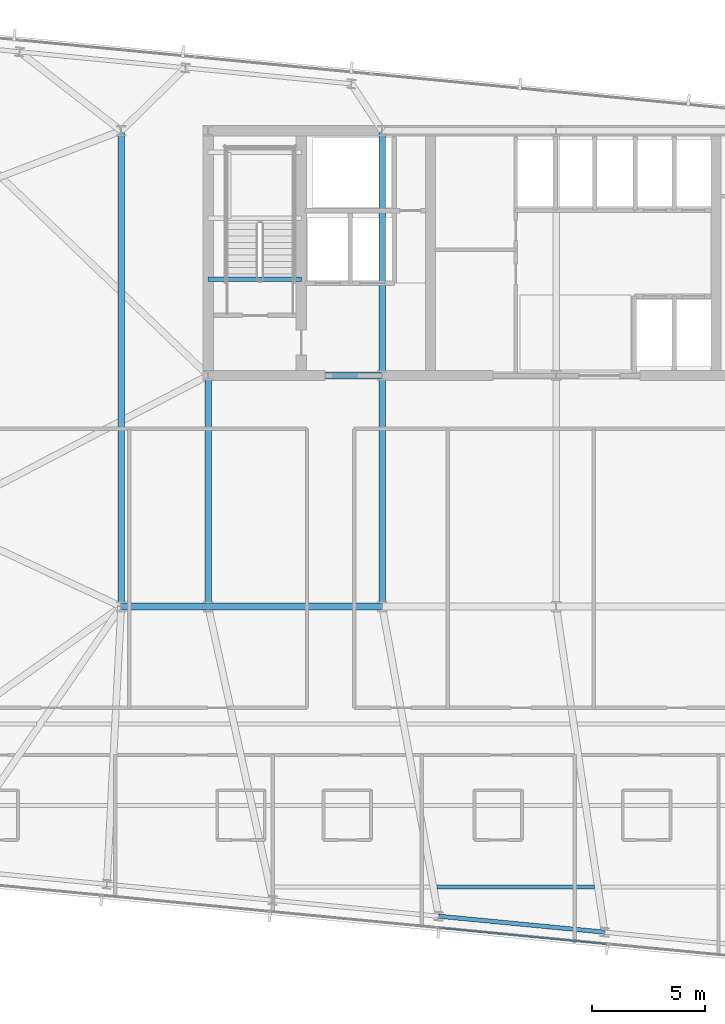
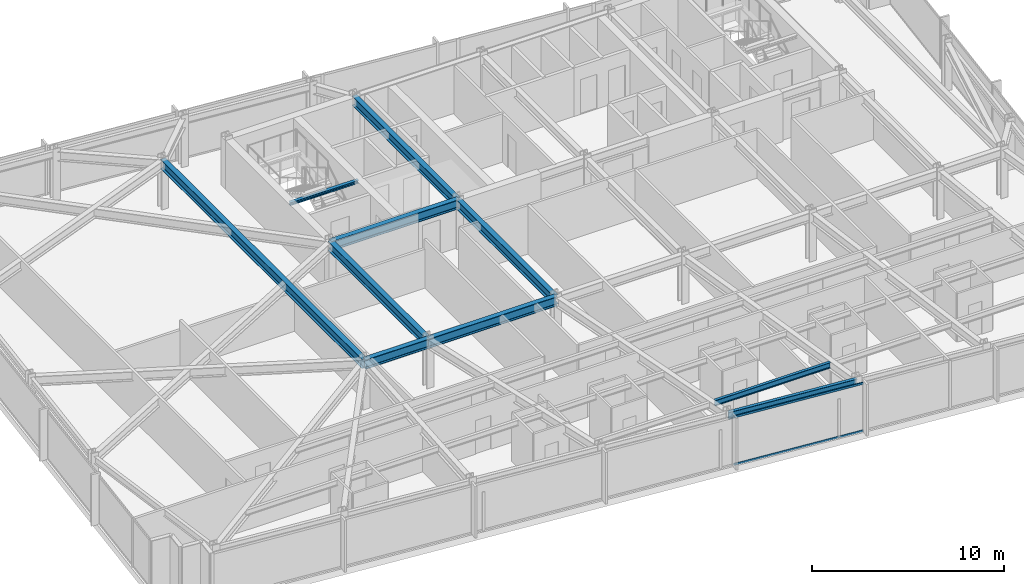
# One storey, part 11 of 37: 10 beams, 2 members, 1 element without a shape of its own.
"""IFC4 building model written with IfcOpenShell, lengths in metres."""

from ifc_helpers import new_model, si_unit, direction, frame, origin, origin_2d, place, context, subcontext, project, spatial, hollow_rectangle, i_section, extrude, material, material_profile, profile_set, type_object, element, aggregate, save


model = new_model("IFC4")

# Units and contexts
model_context = context("Model", 3, precision=1e-05, world=origin(), true_north=direction((0.0, 1.0)))
body_context = subcontext(model_context, "Body", "Model", "MODEL_VIEW")
ifc_project = project(units=[si_unit("LENGTHUNIT", "METRE"), si_unit("AREAUNIT", "SQUARE_METRE"), si_unit("VOLUMEUNIT", "CUBIC_METRE"), si_unit("PLANEANGLEUNIT", "RADIAN"), si_unit("MASSUNIT", "GRAM", prefix="KILO")], contexts=[model_context])

# Site, building, storey
site_placement = place(None, origin())
site = spatial("IfcSite", under=ifc_project, at=site_placement, CompositionType="ELEMENT")
building_placement = place(site_placement, origin())
building = spatial("IfcBuilding", under=site, at=building_placement, Name="Yelkora Congress Tower", CompositionType="ELEMENT")
storey_placement = place(building_placement, frame((0.0, 0.0, 149.0)))
storey = spatial("IfcBuildingStorey", under=building, at=storey_placement, Name="L40", CompositionType="ELEMENT", Elevation=149.0)

# Beams
ifc_material_1 = material(Name="Steel S355J2", Category="steel")
ifc_material_profile_1 = material_profile(ifc_material_1, i_section(OverallWidth=0.300048828125, OverallDepth=0.60009765625, WebThickness=0.015380859375, FlangeThickness=0.030029296875, FilletRadius=0.027099609375, at=origin_2d()), Name="HEB 600")
ifc_profile_set_1 = profile_set([ifc_material_profile_1], Name="Steel S355J2")
beam_type_1 = type_object("IfcBeamType", Name="BM-GIRD-HEB600", PredefinedType="BEAM", material=ifc_profile_set_1)
beam_1_placement = place(storey_placement, frame((19.199951171875, 25.199951171875, 2.780029296875), z_axis=(1.0, 0.0, 0.0), x_axis=(0.0, 1.0, 0.0)))
element("IfcBeam", 1, at=beam_1_placement, inside=storey, type_object=beam_type_1, Name="L40 Spine Grid D Girder 1", PredefinedType="BEAM", context=body_context, shape_type="SweptSolid", body=[
    extrude(i_section(OverallWidth=0.300048828125, OverallDepth=0.60009765625, WebThickness=0.015380859375, FlangeThickness=0.030029296875, FilletRadius=0.027099609375, at=origin_2d()), origin(), (0.0, 0.0, 1.0), 3.840087890625),
])
for number, where, z_axis, x_axis, name in (
    (2, (23.0400390625, 25.199951171875, 2.780029296875), (1.0, 0.0, 0.0), (0.0, 1.0, 0.0), "L40 Spine Grid D Girder 2"),
    (3, (23.0400390625, 35.39990234375, 2.780029296875), (1.0, 0.0, 0.0), (0.0, 1.0, 0.0), "L40 Core South Girder 1"),
):
    element("IfcBeam", number, at=place(storey_placement, frame(where, z_axis=z_axis, x_axis=x_axis)), inside=storey, type_object=beam_type_1, Name=name, PredefinedType="BEAM", context=body_context, shape_type="SweptSolid", body=[
        extrude(i_section(OverallWidth=0.300048828125, OverallDepth=0.60009765625, WebThickness=0.015380859375, FlangeThickness=0.030029296875, FilletRadius=0.027099609375, at=origin_2d()), origin(), (0.0, 0.0, 1.0), 7.679931640625),
    ])
for number, where, z_axis, x_axis, name in (
    (4, (23.0400390625, 25.199951171875, 2.780029296875), (0.0, 1.0, 0.0), (-1.0, 0.0, 0.0), "L40 Core Tie Girder MC-D1"),
    (5, (30.719970703125, 25.199951171875, 2.780029296875), (0.0, 1.0, 0.0), (-1.0, 0.0, 0.0), "L40 Core Tie Girder MC-D2"),
):
    element("IfcBeam", number, at=place(storey_placement, frame(where, z_axis=z_axis, x_axis=x_axis)), inside=storey, type_object=beam_type_1, Name=name, PredefinedType="BEAM", context=body_context, shape_type="SweptSolid", body=[
        extrude(i_section(OverallWidth=0.300048828125, OverallDepth=0.60009765625, WebThickness=0.015380859375, FlangeThickness=0.030029296875, FilletRadius=0.027099609375, at=origin_2d()), origin(), (0.0, 0.0, 1.0), 10.199951171875),
    ])
beam_2_placement = place(storey_placement, frame((30.719970703125, 35.39990234375, 2.780029296875), z_axis=(0.0, 1.0, 0.0), x_axis=(-1.0, 0.0, 0.0)))
element("IfcBeam", 6, at=beam_2_placement, inside=storey, type_object=beam_type_1, Name="L40 Core Tie Girder MC-S2", PredefinedType="BEAM", context=body_context, shape_type="SweptSolid", body=[
    extrude(i_section(OverallWidth=0.300048828125, OverallDepth=0.60009765625, WebThickness=0.015380859375, FlangeThickness=0.030029296875, FilletRadius=0.027099609375, at=origin_2d()), origin(), (0.0, 0.0, 1.0), 10.800048828125),
])
beam_3_placement = place(storey_placement, frame((19.199951171875, 25.199951171875, 2.780029296875), z_axis=(0.0, 1.0, 0.0), x_axis=(-1.0, 0.0, 0.0)))
element("IfcBeam", 7, at=beam_3_placement, inside=storey, type_object=beam_type_1, Name="L40 Neck Flank Girder MC-F1", PredefinedType="BEAM", context=body_context, shape_type="SweptSolid", body=[
    extrude(i_section(OverallWidth=0.300048828125, OverallDepth=0.60009765625, WebThickness=0.015380859375, FlangeThickness=0.030029296875, FilletRadius=0.027099609375, at=origin_2d()), origin(), (0.0, 0.0, 1.0), 21.0),
])
ifc_material_profile_2 = material_profile(ifc_material_1, i_section(OverallWidth=0.169921875, OverallDepth=0.360107421875, WebThickness=0.008056640625, FlangeThickness=0.0126953125, FilletRadius=0.01806640625, at=origin_2d()), Name="IPE 360")
ifc_profile_set_2 = profile_set([ifc_material_profile_2], Name="Steel S355J2")
beam_type_2 = type_object("IfcBeamType", Name="BM-JOIST-IPE360", PredefinedType="JOIST", material=ifc_profile_set_2)
beam_4_placement = place(storey_placement, frame((33.137939453125, 12.8212890625, 2.89990234375), z_axis=(1.0, 0.0, 0.0), x_axis=(0.0, 1.0, 0.0)))
element("IfcBeam", 8, at=beam_4_placement, inside=storey, type_object=beam_type_2, Name="L40 Composite Floor Joist 2", PredefinedType="JOIST", context=body_context, shape_type="SweptSolid", body=[
    extrude(i_section(OverallWidth=0.169921875, OverallDepth=0.360107421875, WebThickness=0.008056640625, FlangeThickness=0.0126953125, FilletRadius=0.01806640625, at=origin_2d()), origin(), (0.0, 0.0, 1.0), 6.94189453125),
])
ifc_material_profile_3 = material_profile(ifc_material_1, i_section(OverallWidth=0.199951171875, OverallDepth=0.18994140625, WebThickness=0.006591796875, FlangeThickness=0.010009765625, FilletRadius=0.01806640625, at=origin_2d()), Name="HEA 200")
ifc_profile_set_3 = profile_set([ifc_material_profile_3], Name="Steel S355J2")
beam_type_3 = type_object("IfcBeamType", Name="BM-LAND-HEA200", PredefinedType="BEAM", material=ifc_profile_set_3)
beam_5_placement = place(storey_placement, frame((23.0400390625, 39.639892578125, 2.85400390625), z_axis=(1.0, 0.0, 0.0), x_axis=(0.0, 1.0, 0.0)))
element("IfcBeam", 9, at=beam_5_placement, inside=storey, type_object=beam_type_3, Name="ST-01 L40 Floor Arrival Stringer Header Beam", PredefinedType="BEAM", context=body_context, shape_type="SweptSolid", body=[
    extrude(i_section(OverallWidth=0.199951171875, OverallDepth=0.18994140625, WebThickness=0.006591796875, FlangeThickness=0.010009765625, FilletRadius=0.01806640625, at=origin_2d()), origin(), (0.0, 0.0, 1.0), 4.10986328125),
])
ifc_material_profile_4 = material_profile(ifc_material_1, i_section(OverallWidth=0.18994140625, OverallDepth=0.449951171875, WebThickness=0.009521484375, FlangeThickness=0.0146484375, FilletRadius=0.02099609375, at=origin_2d()), Name="IPE 450")
ifc_profile_set_4 = profile_set([ifc_material_profile_4], Name="Steel S355J2")
beam_type_4 = type_object("IfcBeamType", Name="BM-SPAN-IPE450", PredefinedType="SPANDREL", material=ifc_profile_set_4)
beam_6_placement = place(storey_placement, frame((33.21240234375, 11.53662109375, 2.85498046875), z_axis=(0.995397104697, -0.095836339457, 0.0), x_axis=(0.095836339457, 0.995397104697, 0.0)))
element("IfcBeam", 10, at=beam_6_placement, inside=storey, type_object=beam_type_4, Name="L40 Perimeter Beam 6", PredefinedType="SPANDREL", context=body_context, shape_type="SweptSolid", body=[
    extrude(i_section(OverallWidth=0.18994140625, OverallDepth=0.449951171875, WebThickness=0.009521484375, FlangeThickness=0.0146484375, FilletRadius=0.02099609375, at=origin_2d()), origin(), (0.0, 0.0, 1.0), 7.357177734375),
])

# Curtain wall, members
ifc_material_2 = material(Name="Anodised aluminium and insulated glass", Category="aluminium")
curtain_wall_type = type_object("IfcCurtainWallType", Name="CW-SYS-B3", PredefinedType="NOTDEFINED", material=ifc_material_2)
curtain_wall_placement = place(storey_placement, origin())
curtain_wall = element("IfcCurtainWall", 11, at=curtain_wall_placement, inside=storey, type_object=curtain_wall_type, Name="L40 Unitised Curtain Wall 20", PredefinedType="NOTDEFINED")
ifc_material_3 = material(Name="Anodised aluminium 6063-T6", Category="aluminium")
ifc_material_profile_5 = material_profile(ifc_material_3, hollow_rectangle(XDim=0.06005859375, YDim=0.1298828125, WallThickness=0.00390625, at=origin_2d()), Name="ALU 60x130x4")
ifc_profile_set_5 = profile_set([ifc_material_profile_5], Name="Anodised aluminium 6063-T6")
member_type = type_object("IfcMemberType", Name="MEM-TR-B3", PredefinedType="USERDEFINED", material=ifc_profile_set_5)
member_1_placement = place(storey_placement, frame((40.626708984375, 10.310302734375, 0.030029296875), z_axis=(-0.99539548672, 0.095853142967, 0.0), x_axis=(-0.095853142967, -0.99539548672, 0.0)))
member_1 = element("IfcMember", 12, at=member_1_placement, type_object=member_type, Name="CW-B3 transom 3.1", ObjectType="TRANSOM", PredefinedType="USERDEFINED", context=body_context, shape_type="SweptSolid", body=[
    extrude(hollow_rectangle(XDim=0.06005859375, YDim=0.1298828125, WallThickness=0.00390625, at=origin_2d()), origin(), (0.0, 0.0, 1.0), 7.404296875),
])
member_2_placement = place(storey_placement, frame((40.626708984375, 10.310302734375, 3.050048828125), z_axis=(-0.99539548672, 0.095853142967, 0.0), x_axis=(-0.095853142967, -0.99539548672, 0.0)))
member_2 = element("IfcMember", 13, at=member_2_placement, type_object=member_type, Name="CW-B3 transom 3.2", ObjectType="TRANSOM", PredefinedType="USERDEFINED", context=body_context, shape_type="SweptSolid", body=[
    extrude(hollow_rectangle(XDim=0.06005859375, YDim=0.1298828125, WallThickness=0.00390625, at=origin_2d()), origin(), (0.0, 0.0, 1.0), 7.404296875),
])
aggregate(curtain_wall, [member_1, member_2])

save(model, "model.ifc")
